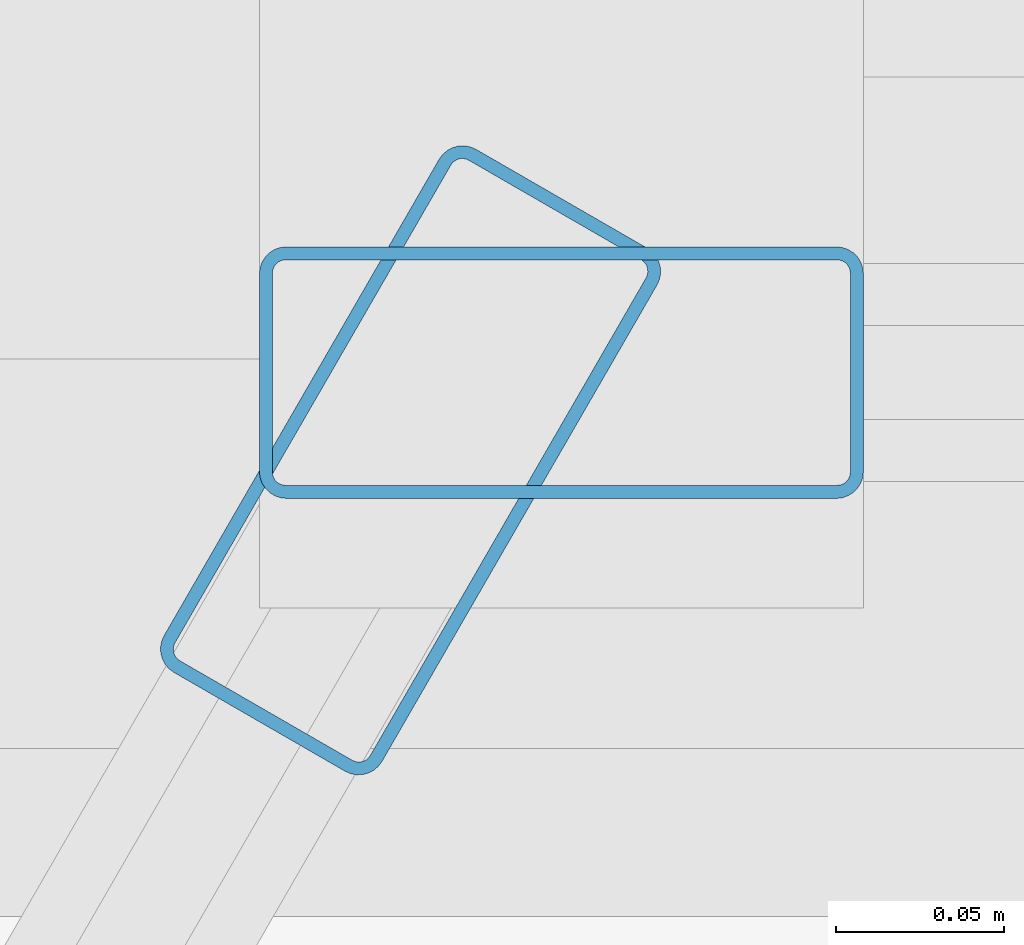
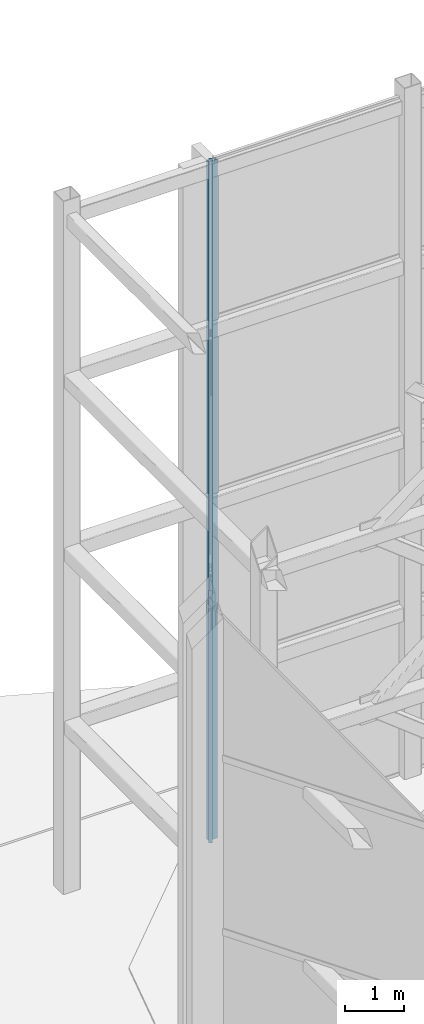
# One storey, part 7 of 24: 2 members, 2 elements without a shape of their own.
"""IFC4 building model written with IfcOpenShell, lengths in metres."""

from ifc_helpers import new_model, si_unit, direction, frame, origin, origin_2d, place, context, subcontext, project, spatial, hollow_rectangle, extrude, material, layer, layer_set, material_profile, profile_set, type_object, element, aggregate, save


model = new_model("IFC4")

# Units and contexts
model_context = context("Model", 3, precision=1e-05, world=origin(), true_north=direction((0.0, 1.0)))
body_context = subcontext(model_context, "Body", "Model", "MODEL_VIEW")
ifc_project = project(units=[si_unit("LENGTHUNIT", "METRE"), si_unit("AREAUNIT", "SQUARE_METRE"), si_unit("VOLUMEUNIT", "CUBIC_METRE"), si_unit("PLANEANGLEUNIT", "RADIAN"), si_unit("MASSUNIT", "GRAM", prefix="KILO")], contexts=[model_context])

# Site, building, storey
site_placement = place(None, origin())
site = spatial("IfcSite", under=ifc_project, at=site_placement, CompositionType="ELEMENT")
building_placement = place(site_placement, origin())
building = spatial("IfcBuilding", under=site, at=building_placement, Name="Solvaryn Broadcast Tower", CompositionType="ELEMENT")
storey_placement = place(building_placement, frame((0.0, 0.0, 307.800048828125)))
storey = spatial("IfcBuildingStorey", under=building, at=storey_placement, Name="Roof Main", CompositionType="ELEMENT", Elevation=307.800048828125)

# Curtain wall, member
ifc_material_1 = material(Name="Aluminium and Terracotta Unitised Curtain Wall", Category="masonry")
ifc_layer = layer(ifc_material_1, 0.2099609375)
ifc_layer_set = layer_set([ifc_layer], Name="CW-SYS6-CROWN")
curtain_wall_type = type_object("IfcCurtainWallType", Name="CW-SYS6-CROWN", PredefinedType="NOTDEFINED", material=ifc_layer_set)
curtain_wall_1_placement = place(storey_placement, origin())
curtain_wall_1 = element("IfcCurtainWall", 1, at=curtain_wall_1_placement, inside=storey, type_object=curtain_wall_type, Name="Roof Main Split-Top Crown Curtain Wall E2", PredefinedType="NOTDEFINED")
ifc_material_2 = material(Name="Anodised Aluminium 6063-T6", Category="aluminium")
ifc_material_profile = material_profile(ifc_material_2, hollow_rectangle(XDim=0.074951171875, YDim=0.179931640625, WallThickness=0.00390625, InnerFilletRadius=0.00390625, OuterFilletRadius=0.008056640625, at=origin_2d()))
ifc_profile_set = profile_set([ifc_material_profile], Name="Anodised Aluminium 6063-T6")
member_type = type_object("IfcMemberType", Name="CW-MUL-180", PredefinedType="MULLION", material=ifc_profile_set)
member_1_placement = place(storey_placement, frame((32.2548828125, 24.612060546875, 0.0), z_axis=(0.0, 0.0, 1.0), x_axis=(0.0, -1.0, 0.0)))
member_1 = element("IfcMember", 2, at=member_1_placement, type_object=member_type, Name="CWS6 mullion 2", PredefinedType="MULLION", context=body_context, shape_type="SweptSolid", body=[
    extrude(hollow_rectangle(XDim=0.074951171875, YDim=0.179931640625, WallThickness=0.00390625, InnerFilletRadius=0.00390625, OuterFilletRadius=0.008056640625, at=origin_2d()), origin(), (0.0, 0.0, 1.0), 14.099853515625),
])
aggregate(curtain_wall_1, [member_1])

curtain_wall_2_placement = place(storey_placement, origin())
curtain_wall_2 = element("IfcCurtainWall", 3, at=curtain_wall_2_placement, inside=storey, type_object=curtain_wall_type, Name="Roof Main Split-Top Crown Curtain Wall E3", PredefinedType="NOTDEFINED")
member_2_placement = place(storey_placement, frame((32.2099609375, 24.5859375, 0.0), z_axis=(0.0, 0.0, 1.0), x_axis=(0.866035181372, -0.499983064339, 0.0)))
member_2 = element("IfcMember", 4, at=member_2_placement, type_object=member_type, Name="CWS6 mullion 1", PredefinedType="MULLION", context=body_context, shape_type="SweptSolid", body=[
    extrude(hollow_rectangle(XDim=0.074951171875, YDim=0.179931640625, WallThickness=0.00390625, InnerFilletRadius=0.00390625, OuterFilletRadius=0.008056640625, at=origin_2d()), origin(), (0.0, 0.0, 1.0), 14.099853515625),
])
aggregate(curtain_wall_2, [member_2])

save(model, "model.ifc")
